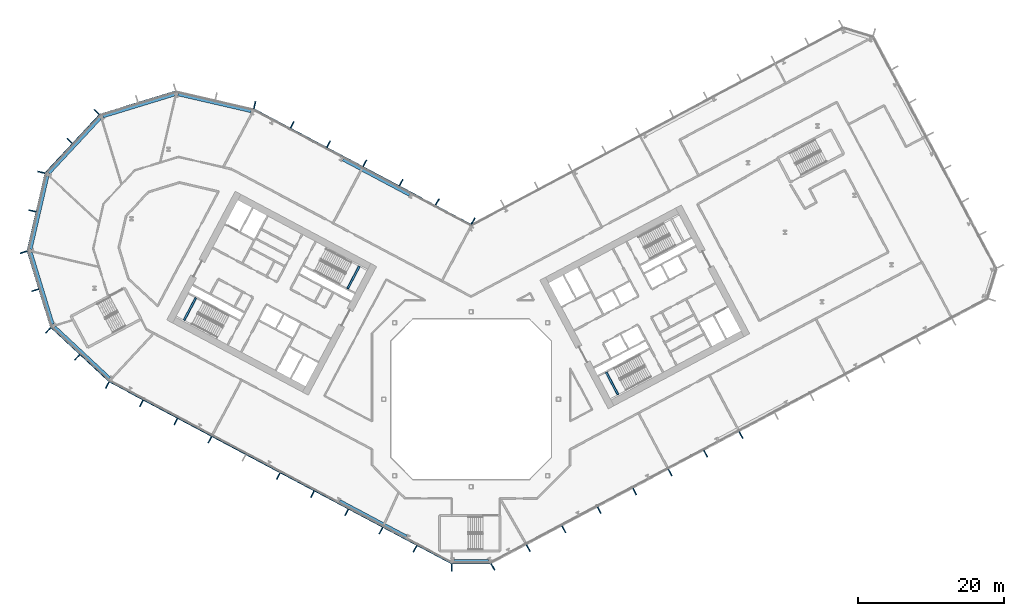
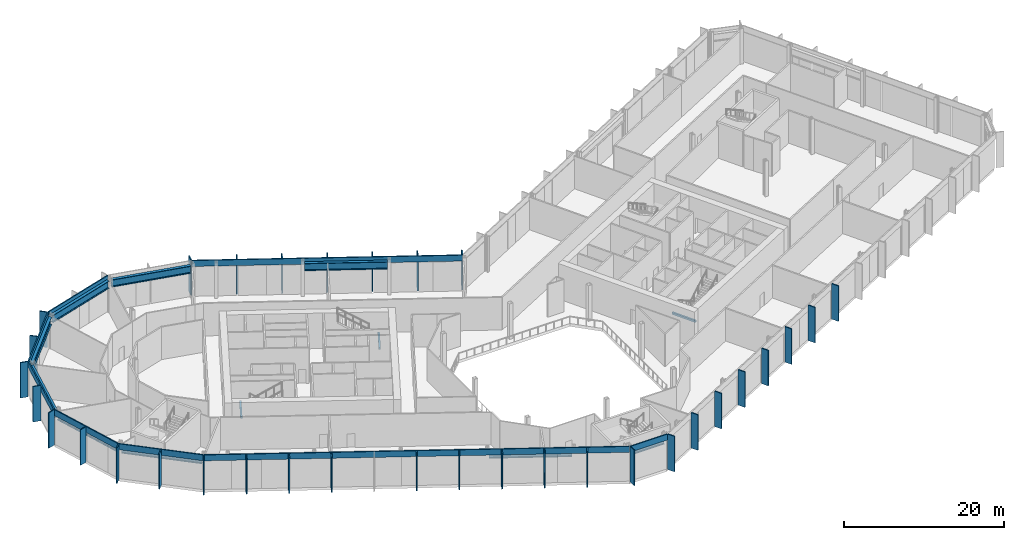
# One storey, part 6 of 30: 41 members, 12 beams, 10 elements without a shape of their own.
"""IFC4 building model written with IfcOpenShell, lengths in metres."""

from ifc_helpers import new_model, si_unit, direction, frame, origin, origin_2d, place, context, subcontext, project, spatial, rectangle, i_section, extrude, material, layer, layer_set, material_profile, profile_set, type_object, element, aggregate, save


model = new_model("IFC4")

# Units and contexts
model_context = context("Model", 3, precision=1e-05, world=origin(), true_north=direction((0.0, 1.0)))
body_context = subcontext(model_context, "Body", "Model", "MODEL_VIEW")
ifc_project = project(units=[si_unit("LENGTHUNIT", "METRE"), si_unit("AREAUNIT", "SQUARE_METRE"), si_unit("VOLUMEUNIT", "CUBIC_METRE"), si_unit("PLANEANGLEUNIT", "RADIAN"), si_unit("MASSUNIT", "GRAM", prefix="KILO")], contexts=[model_context])

# Site, building, storey
site_placement = place(None, origin())
site = spatial("IfcSite", under=ifc_project, at=site_placement, CompositionType="ELEMENT")
building_placement = place(site_placement, origin())
building = spatial("IfcBuilding", under=site, at=building_placement, Name="Cormorant Relay Tower", CompositionType="ELEMENT")
storey_placement = place(building_placement, frame((0.0, 0.0, 44.60009765625)))
storey = spatial("IfcBuildingStorey", under=building, at=storey_placement, Name="L08", CompositionType="ELEMENT", Elevation=44.60009765625)

# Curtain wall, member
ifc_material_1 = material(Name="Aluminium 6063-T6 anodised bronze", Category="aluminium")
ifc_layer = layer(ifc_material_1, 0.235107421875)
ifc_layer_set = layer_set([ifc_layer], Name="CW6 data hall curtain wall with mineral wool panels")
curtain_wall_type = type_object("IfcCurtainWallType", Name="CW6 data hall curtain wall with mineral wool panels", PredefinedType="NOTDEFINED", material=ifc_layer_set)
curtain_wall_1_placement = place(storey_placement, origin())
curtain_wall_1 = element("IfcCurtainWall", 1, at=curtain_wall_1_placement, inside=storey, type_object=curtain_wall_type, Name="CW6 curtain wall 1", PredefinedType="NOTDEFINED")
ifc_material_2 = material(Name="Aluminium 6063-T6 anodised bronze", Category="aluminium")
ifc_material_profile_1 = material_profile(ifc_material_2, rectangle(XDim=0.14990234375, YDim=1.0, at=origin_2d()), Name="AL 150x1000")
ifc_profile_set_1 = profile_set([ifc_material_profile_1], Name="Aluminium 6063-T6 anodised bronze")
member_type_1 = type_object("IfcMemberType", Name="CW6 bronze fin mullion 150 x 1000", PredefinedType="MULLION", material=ifc_profile_set_1)
member_1_placement = place(storey_placement, frame((-2.648681640625, -23.110595703125, 0.0), z_axis=(0.0, 0.0, 1.0), x_axis=(1.0, 0.0, 0.0)))
member_1 = element("IfcMember", 2, at=member_1_placement, type_object=member_type_1, Name="CW6 fin 1.1", PredefinedType="MULLION", context=body_context, shape_type="SweptSolid", body=[
    extrude(rectangle(XDim=0.14990234375, YDim=1.0, at=origin_2d()), origin(), (0.0, 0.0, 1.0), 5.39990234375),
])

# Curtain wall, members
curtain_wall_2_placement = place(storey_placement, origin())
curtain_wall_2 = element("IfcCurtainWall", 3, at=curtain_wall_2_placement, inside=storey, type_object=curtain_wall_type, Name="CW6 curtain wall 2", PredefinedType="NOTDEFINED")
member_2_placement = place(storey_placement, frame((2.993896484375, -23.0244140625, 0.0), z_axis=(0.0, 0.0, 1.0), x_axis=(0.882947592859, 0.469471562786, 0.0)))
member_2 = element("IfcMember", 4, at=member_2_placement, type_object=member_type_1, Name="CW6 fin 2.1", PredefinedType="MULLION", context=body_context, shape_type="SweptSolid", body=[
    extrude(rectangle(XDim=0.14990234375, YDim=1.0, at=origin_2d()), origin(), (0.0, 0.0, 1.0), 5.39990234375),
])
member_3_placement = place(storey_placement, frame((7.860595703125, -20.43701171875, 0.0), z_axis=(0.0, 0.0, 1.0), x_axis=(0.882947592859, 0.469471562786, 0.0)))
member_3 = element("IfcMember", 5, at=member_3_placement, type_object=member_type_1, Name="CW6 fin 2.2", PredefinedType="MULLION", context=body_context, shape_type="SweptSolid", body=[
    extrude(rectangle(XDim=0.14990234375, YDim=1.0, at=origin_2d()), origin(), (0.0, 0.0, 1.0), 5.39990234375),
])
member_4_placement = place(storey_placement, frame((12.727294921875, -17.84912109375, 0.0), z_axis=(0.0, 0.0, 1.0), x_axis=(0.882947592859, 0.469471562786, 0.0)))
member_4 = element("IfcMember", 6, at=member_4_placement, type_object=member_type_1, Name="CW6 fin 2.3", PredefinedType="MULLION", context=body_context, shape_type="SweptSolid", body=[
    extrude(rectangle(XDim=0.14990234375, YDim=1.0, at=origin_2d()), origin(), (0.0, 0.0, 1.0), 5.39990234375),
])
member_5_placement = place(storey_placement, frame((17.593994140625, -15.26171875, 0.0), z_axis=(0.0, 0.0, 1.0), x_axis=(0.882947592859, 0.469471562786, 0.0)))
member_5 = element("IfcMember", 7, at=member_5_placement, type_object=member_type_1, Name="CW6 fin 2.4", PredefinedType="MULLION", context=body_context, shape_type="SweptSolid", body=[
    extrude(rectangle(XDim=0.14990234375, YDim=1.0, at=origin_2d()), origin(), (0.0, 0.0, 1.0), 5.39990234375),
])
member_6_placement = place(storey_placement, frame((22.460693359375, -12.673828125, 0.0), z_axis=(0.0, 0.0, 1.0), x_axis=(0.882947592859, 0.469471562786, 0.0)))
member_6 = element("IfcMember", 8, at=member_6_placement, type_object=member_type_1, Name="CW6 fin 2.5", PredefinedType="MULLION", context=body_context, shape_type="SweptSolid", body=[
    extrude(rectangle(XDim=0.14990234375, YDim=1.0, at=origin_2d()), origin(), (0.0, 0.0, 1.0), 5.39990234375),
])
member_7_placement = place(storey_placement, frame((27.327392578125, -10.086181640625, 0.0), z_axis=(0.0, 0.0, 1.0), x_axis=(0.882947592859, 0.469471562786, 0.0)))
member_7 = element("IfcMember", 9, at=member_7_placement, type_object=member_type_1, Name="CW6 fin 2.6", PredefinedType="MULLION", context=body_context, shape_type="SweptSolid", body=[
    extrude(rectangle(XDim=0.14990234375, YDim=1.0, at=origin_2d()), origin(), (0.0, 0.0, 1.0), 5.39990234375),
])
member_8_placement = place(storey_placement, frame((32.194091796875, -7.49853515625, 0.0), z_axis=(0.0, 0.0, 1.0), x_axis=(0.882947592859, 0.469471562786, 0.0)))
member_8 = element("IfcMember", 10, at=member_8_placement, type_object=member_type_1, Name="CW6 fin 2.7", PredefinedType="MULLION", context=body_context, shape_type="SweptSolid", body=[
    extrude(rectangle(XDim=0.14990234375, YDim=1.0, at=origin_2d()), origin(), (0.0, 0.0, 1.0), 5.39990234375),
])
member_9_placement = place(storey_placement, frame((37.060546875, -4.910888671875, 0.0), z_axis=(0.0, 0.0, 1.0), x_axis=(0.882947592859, 0.469471562786, 0.0)))
member_9 = element("IfcMember", 11, at=member_9_placement, type_object=member_type_1, Name="CW6 fin 2.8", PredefinedType="MULLION", context=body_context, shape_type="SweptSolid", body=[
    extrude(rectangle(XDim=0.14990234375, YDim=1.0, at=origin_2d()), origin(), (0.0, 0.0, 1.0), 5.39990234375),
])
aggregate(curtain_wall_2, [member_2, member_3, member_4, member_5, member_6, member_7, member_8, member_9])

curtain_wall_3_placement = place(storey_placement, origin())
curtain_wall_3 = element("IfcCurtainWall", 12, at=curtain_wall_3_placement, inside=storey, type_object=curtain_wall_type, Name="CW6 curtain wall 7", PredefinedType="NOTDEFINED")
member_10_placement = place(storey_placement, frame((0.27880859375, 24.468017578125, 0.0), z_axis=(0.0, 0.0, 1.0), x_axis=(-0.882947592859, 0.469471562786, 0.0)))
member_10 = element("IfcMember", 13, at=member_10_placement, type_object=member_type_1, Name="CW6 fin 7.1", PredefinedType="MULLION", context=body_context, shape_type="SweptSolid", body=[
    extrude(rectangle(XDim=0.14990234375, YDim=1.0, at=origin_2d()), origin(), (0.0, 0.0, 1.0), 5.39990234375),
])
member_11_placement = place(storey_placement, frame((-4.6337890625, 27.080322265625, 0.0), z_axis=(0.0, 0.0, 1.0), x_axis=(-0.882947592859, 0.469471562786, 0.0)))
member_11 = element("IfcMember", 14, at=member_11_placement, type_object=member_type_1, Name="CW6 fin 7.2", PredefinedType="MULLION", context=body_context, shape_type="SweptSolid", body=[
    extrude(rectangle(XDim=0.14990234375, YDim=1.0, at=origin_2d()), origin(), (0.0, 0.0, 1.0), 5.39990234375),
])
member_12_placement = place(storey_placement, frame((-9.61279296875, 29.727783203125, 0.0), z_axis=(0.0, 0.0, 1.0), x_axis=(-0.882947592859, 0.469471562786, 0.0)))
member_12 = element("IfcMember", 15, at=member_12_placement, type_object=member_type_1, Name="CW6 fin 7.3", PredefinedType="MULLION", context=body_context, shape_type="SweptSolid", body=[
    extrude(rectangle(XDim=0.14990234375, YDim=1.0, at=origin_2d()), origin(), (0.0, 0.0, 1.0), 5.39990234375),
])
member_13_placement = place(storey_placement, frame((-14.591796875, 32.375, 0.0), z_axis=(0.0, 0.0, 1.0), x_axis=(-0.882947592859, 0.469471562786, 0.0)))
member_13 = element("IfcMember", 16, at=member_13_placement, type_object=member_type_1, Name="CW6 fin 7.4", PredefinedType="MULLION", context=body_context, shape_type="SweptSolid", body=[
    extrude(rectangle(XDim=0.14990234375, YDim=1.0, at=origin_2d()), origin(), (0.0, 0.0, 1.0), 5.39990234375),
])
member_14_placement = place(storey_placement, frame((-19.57080078125, 35.0224609375, 0.0), z_axis=(0.0, 0.0, 1.0), x_axis=(-0.882947592859, 0.469471562786, 0.0)))
member_14 = element("IfcMember", 17, at=member_14_placement, type_object=member_type_1, Name="CW6 fin 7.5", PredefinedType="MULLION", context=body_context, shape_type="SweptSolid", body=[
    extrude(rectangle(XDim=0.14990234375, YDim=1.0, at=origin_2d()), origin(), (0.0, 0.0, 1.0), 5.39990234375),
])
member_15_placement = place(storey_placement, frame((-24.5498046875, 37.669677734375, 0.0), z_axis=(0.0, 0.0, 1.0), x_axis=(-0.882947592859, 0.469471562786, 0.0)))
member_15 = element("IfcMember", 18, at=member_15_placement, type_object=member_type_1, Name="CW6 fin 7.6", PredefinedType="MULLION", context=body_context, shape_type="SweptSolid", body=[
    extrude(rectangle(XDim=0.14990234375, YDim=1.0, at=origin_2d()), origin(), (0.0, 0.0, 1.0), 5.39990234375),
])

# Curtain wall, member
curtain_wall_4_placement = place(storey_placement, origin())
curtain_wall_4 = element("IfcCurtainWall", 19, at=curtain_wall_4_placement, inside=storey, type_object=curtain_wall_type, Name="CW6 curtain wall 8", PredefinedType="NOTDEFINED")
member_16_placement = place(storey_placement, frame((-29.70849609375, 40.38427734375, 0.0), z_axis=(0.0, 0.0, 1.0), x_axis=(-0.974370064785, 0.224951054344, 0.0)))
member_16 = element("IfcMember", 20, at=member_16_placement, type_object=member_type_1, Name="CW6 fin 8.1", PredefinedType="MULLION", context=body_context, shape_type="SweptSolid", body=[
    extrude(rectangle(XDim=0.14990234375, YDim=1.0, at=origin_2d()), origin(), (0.0, 0.0, 1.0), 5.39990234375),
])
aggregate(curtain_wall_4, [member_16])

# Curtain wall, members
curtain_wall_5_placement = place(storey_placement, origin())
curtain_wall_5 = element("IfcCurtainWall", 21, at=curtain_wall_5_placement, inside=storey, type_object=curtain_wall_type, Name="CW6 curtain wall 10", PredefinedType="NOTDEFINED")
member_17_placement = place(storey_placement, frame((-51.3984375, 39.4365234375, 0.0), z_axis=(0.0, 0.0, 1.0), x_axis=(-0.681998360062, -0.731353701619, 0.0)))
member_17 = element("IfcMember", 22, at=member_17_placement, type_object=member_type_1, Name="CW6 fin 10.1", PredefinedType="MULLION", context=body_context, shape_type="SweptSolid", body=[
    extrude(rectangle(XDim=0.14990234375, YDim=1.0, at=origin_2d()), origin(), (0.0, 0.0, 1.0), 5.39990234375),
])
member_18_placement = place(storey_placement, frame((-55.105224609375, 35.46142578125, 0.0), z_axis=(0.0, 0.0, 1.0), x_axis=(-0.681998360062, -0.731353701619, 0.0)))
member_18 = element("IfcMember", 23, at=member_18_placement, type_object=member_type_1, Name="CW6 fin 10.2", PredefinedType="MULLION", context=body_context, shape_type="SweptSolid", body=[
    extrude(rectangle(XDim=0.14990234375, YDim=1.0, at=origin_2d()), origin(), (0.0, 0.0, 1.0), 5.39990234375),
])

curtain_wall_6_placement = place(storey_placement, origin())
curtain_wall_6 = element("IfcCurtainWall", 24, at=curtain_wall_6_placement, inside=storey, type_object=curtain_wall_type, Name="CW6 curtain wall 11", PredefinedType="NOTDEFINED")
member_19_placement = place(storey_placement, frame((-58.99072265625, 31.150390625, 0.0), z_axis=(0.0, 0.0, 1.0), x_axis=(-0.224951054344, -0.974370064785, 0.0)))
member_19 = element("IfcMember", 25, at=member_19_placement, type_object=member_type_1, Name="CW6 fin 11.1", PredefinedType="MULLION", context=body_context, shape_type="SweptSolid", body=[
    extrude(rectangle(XDim=0.14990234375, YDim=1.0, at=origin_2d()), origin(), (0.0, 0.0, 1.0), 5.39990234375),
])
member_20_placement = place(storey_placement, frame((-60.21337890625, 25.8544921875, 0.0), z_axis=(0.0, 0.0, 1.0), x_axis=(-0.224951054344, -0.974370064785, 0.0)))
member_20 = element("IfcMember", 26, at=member_20_placement, type_object=member_type_1, Name="CW6 fin 11.2", PredefinedType="MULLION", context=body_context, shape_type="SweptSolid", body=[
    extrude(rectangle(XDim=0.14990234375, YDim=1.0, at=origin_2d()), origin(), (0.0, 0.0, 1.0), 5.39990234375),
])

curtain_wall_7_placement = place(storey_placement, origin())
curtain_wall_7 = element("IfcCurtainWall", 27, at=curtain_wall_7_placement, inside=storey, type_object=curtain_wall_type, Name="CW6 curtain wall 12", PredefinedType="NOTDEFINED")
member_21_placement = place(storey_placement, frame((-61.422607421875, 20.178466796875, 0.0), z_axis=(0.0, 0.0, 1.0), x_axis=(0.292371704723, -0.956304755963, 0.0)))
member_21 = element("IfcMember", 28, at=member_21_placement, type_object=member_type_1, Name="CW6 fin 12.1", PredefinedType="MULLION", context=body_context, shape_type="SweptSolid", body=[
    extrude(rectangle(XDim=0.14990234375, YDim=1.0, at=origin_2d()), origin(), (0.0, 0.0, 1.0), 5.39990234375),
])
member_22_placement = place(storey_placement, frame((-59.83349609375, 14.980712890625, 0.0), z_axis=(0.0, 0.0, 1.0), x_axis=(0.292371704723, -0.956304755963, 0.0)))
member_22 = element("IfcMember", 29, at=member_22_placement, type_object=member_type_1, Name="CW6 fin 12.2", PredefinedType="MULLION", context=body_context, shape_type="SweptSolid", body=[
    extrude(rectangle(XDim=0.14990234375, YDim=1.0, at=origin_2d()), origin(), (0.0, 0.0, 1.0), 5.39990234375),
])

curtain_wall_8_placement = place(storey_placement, origin())
curtain_wall_8 = element("IfcCurtainWall", 30, at=curtain_wall_8_placement, inside=storey, type_object=curtain_wall_type, Name="CW6 curtain wall 13", PredefinedType="NOTDEFINED")
member_23_placement = place(storey_placement, frame((-58.04296875, 9.46044921875, 0.0), z_axis=(0.0, 0.0, 1.0), x_axis=(0.731353701619, -0.681998360062, 0.0)))
member_23 = element("IfcMember", 31, at=member_23_placement, type_object=member_type_1, Name="CW6 fin 13.1", PredefinedType="MULLION", context=body_context, shape_type="SweptSolid", body=[
    extrude(rectangle(XDim=0.14990234375, YDim=1.0, at=origin_2d()), origin(), (0.0, 0.0, 1.0), 5.39990234375),
])
member_24_placement = place(storey_placement, frame((-54.06787109375, 5.753662109375, 0.0), z_axis=(0.0, 0.0, 1.0), x_axis=(0.731353701619, -0.681998360062, 0.0)))
member_24 = element("IfcMember", 32, at=member_24_placement, type_object=member_type_1, Name="CW6 fin 13.2", PredefinedType="MULLION", context=body_context, shape_type="SweptSolid", body=[
    extrude(rectangle(XDim=0.14990234375, YDim=1.0, at=origin_2d()), origin(), (0.0, 0.0, 1.0), 5.39990234375),
])

curtain_wall_9_placement = place(storey_placement, origin())
curtain_wall_9 = element("IfcCurtainWall", 33, at=curtain_wall_9_placement, inside=storey, type_object=curtain_wall_type, Name="CW6 curtain wall 14", PredefinedType="NOTDEFINED")
member_25_placement = place(storey_placement, frame((-49.9365234375, 1.935302734375, 0.0), z_axis=(0.0, 0.0, 1.0), x_axis=(0.882947592859, -0.469471562786, 0.0)))
member_25 = element("IfcMember", 34, at=member_25_placement, type_object=member_type_1, Name="CW6 fin 14.1", PredefinedType="MULLION", context=body_context, shape_type="SweptSolid", body=[
    extrude(rectangle(XDim=0.14990234375, YDim=1.0, at=origin_2d()), origin(), (0.0, 0.0, 1.0), 5.39990234375),
])
member_26_placement = place(storey_placement, frame((-45.2421875, -0.560546875, 0.0), z_axis=(0.0, 0.0, 1.0), x_axis=(0.882947592859, -0.469471562786, 0.0)))
member_26 = element("IfcMember", 35, at=member_26_placement, type_object=member_type_1, Name="CW6 fin 14.2", PredefinedType="MULLION", context=body_context, shape_type="SweptSolid", body=[
    extrude(rectangle(XDim=0.14990234375, YDim=1.0, at=origin_2d()), origin(), (0.0, 0.0, 1.0), 5.39990234375),
])
member_27_placement = place(storey_placement, frame((-40.548095703125, -3.056640625, 0.0), z_axis=(0.0, 0.0, 1.0), x_axis=(0.882947592859, -0.469471562786, 0.0)))
member_27 = element("IfcMember", 36, at=member_27_placement, type_object=member_type_1, Name="CW6 fin 14.3", PredefinedType="MULLION", context=body_context, shape_type="SweptSolid", body=[
    extrude(rectangle(XDim=0.14990234375, YDim=1.0, at=origin_2d()), origin(), (0.0, 0.0, 1.0), 5.39990234375),
])
member_28_placement = place(storey_placement, frame((-35.853759765625, -5.552490234375, 0.0), z_axis=(0.0, 0.0, 1.0), x_axis=(0.882947592859, -0.469471562786, 0.0)))
member_28 = element("IfcMember", 37, at=member_28_placement, type_object=member_type_1, Name="CW6 fin 14.4", PredefinedType="MULLION", context=body_context, shape_type="SweptSolid", body=[
    extrude(rectangle(XDim=0.14990234375, YDim=1.0, at=origin_2d()), origin(), (0.0, 0.0, 1.0), 5.39990234375),
])
member_29_placement = place(storey_placement, frame((-26.46533203125, -10.544677734375, 0.0), z_axis=(0.0, 0.0, 1.0), x_axis=(0.882947592859, -0.469471562786, 0.0)))
member_29 = element("IfcMember", 38, at=member_29_placement, type_object=member_type_1, Name="CW6 fin 14.6", PredefinedType="MULLION", context=body_context, shape_type="SweptSolid", body=[
    extrude(rectangle(XDim=0.14990234375, YDim=1.0, at=origin_2d()), origin(), (0.0, 0.0, 1.0), 5.39990234375),
])
member_30_placement = place(storey_placement, frame((-21.77099609375, -13.04052734375, 0.0), z_axis=(0.0, 0.0, 1.0), x_axis=(0.882947592859, -0.469471562786, 0.0)))
member_30 = element("IfcMember", 39, at=member_30_placement, type_object=member_type_1, Name="CW6 fin 14.7", PredefinedType="MULLION", context=body_context, shape_type="SweptSolid", body=[
    extrude(rectangle(XDim=0.14990234375, YDim=1.0, at=origin_2d()), origin(), (0.0, 0.0, 1.0), 5.39990234375),
])
member_31_placement = place(storey_placement, frame((-17.07666015625, -15.53662109375, 0.0), z_axis=(0.0, 0.0, 1.0), x_axis=(0.882947592859, -0.469471562786, 0.0)))
member_31 = element("IfcMember", 40, at=member_31_placement, type_object=member_type_1, Name="CW6 fin 14.8", PredefinedType="MULLION", context=body_context, shape_type="SweptSolid", body=[
    extrude(rectangle(XDim=0.14990234375, YDim=1.0, at=origin_2d()), origin(), (0.0, 0.0, 1.0), 5.39990234375),
])
member_32_placement = place(storey_placement, frame((-12.38232421875, -18.032470703125, 0.0), z_axis=(0.0, 0.0, 1.0), x_axis=(0.882947592859, -0.469471562786, 0.0)))
member_32 = element("IfcMember", 41, at=member_32_placement, type_object=member_type_1, Name="CW6 fin 14.9", PredefinedType="MULLION", context=body_context, shape_type="SweptSolid", body=[
    extrude(rectangle(XDim=0.14990234375, YDim=1.0, at=origin_2d()), origin(), (0.0, 0.0, 1.0), 5.39990234375),
])
member_33_placement = place(storey_placement, frame((-7.688232421875, -20.528564453125, 0.0), z_axis=(0.0, 0.0, 1.0), x_axis=(0.882947592859, -0.469471562786, 0.0)))
member_33 = element("IfcMember", 42, at=member_33_placement, type_object=member_type_1, Name="CW6 fin 14.10", PredefinedType="MULLION", context=body_context, shape_type="SweptSolid", body=[
    extrude(rectangle(XDim=0.14990234375, YDim=1.0, at=origin_2d()), origin(), (0.0, 0.0, 1.0), 5.39990234375),
])

# Member
ifc_material_3 = material(Name="Aluminium 6063-T6 anodised bronze", Category="aluminium")
ifc_material_profile_2 = material_profile(ifc_material_3, rectangle(XDim=0.159912109375, YDim=0.89990234375, at=origin_2d()), Name="AL 160x900")
ifc_profile_set_2 = profile_set([ifc_material_profile_2], Name="Aluminium 6063-T6 anodised bronze")
member_type_2 = type_object("IfcMemberType", Name="CW6 bronze transom 160 x 900", PredefinedType="USERDEFINED", material=ifc_profile_set_2)
member_34_placement = place(storey_placement, frame((-2.648681640625, -22.530517578125, 4.949951171875), z_axis=(1.0, 0.0, 0.0), x_axis=(0.0, 1.0, 0.0)))
member_34 = element("IfcMember", 43, at=member_34_placement, type_object=member_type_2, Name="CW6 transom 1", ObjectType="TRANSOM", PredefinedType="USERDEFINED", context=body_context, shape_type="SweptSolid", body=[
    extrude(rectangle(XDim=0.159912109375, YDim=0.89990234375, at=origin_2d()), origin(), (0.0, 0.0, 1.0), 5.29736328125),
])

aggregate(curtain_wall_1, [member_1, member_34])

member_35_placement = place(storey_placement, frame((0.07275390625, 23.9208984375, 4.949951171875), z_axis=(-0.882949271414, 0.46946840587, 0.0), x_axis=(-0.46946840587, -0.882949271414, 0.0)))
member_35 = element("IfcMember", 44, at=member_35_placement, type_object=member_type_2, Name="CW6 transom 7", ObjectType="TRANSOM", PredefinedType="USERDEFINED", context=body_context, shape_type="SweptSolid", body=[
    extrude(rectangle(XDim=0.159912109375, YDim=0.89990234375, at=origin_2d()), origin(), (0.0, 0.0, 1.0), 33.833984375),
])

aggregate(curtain_wall_3, [member_10, member_11, member_12, member_13, member_14, member_15, member_35])

# Curtain wall, member
curtain_wall_10_placement = place(storey_placement, origin())
curtain_wall_10 = element("IfcCurtainWall", 45, at=curtain_wall_10_placement, inside=storey, type_object=curtain_wall_type, Name="CW6 curtain wall 9", PredefinedType="NOTDEFINED")
member_36_placement = place(storey_placement, frame((-40.5107421875, 42.26171875, 4.949951171875), z_axis=(-0.956304833932, -0.292371449698, 0.0), x_axis=(0.292371449698, -0.956304833932, 0.0)))
member_36 = element("IfcMember", 46, at=member_36_placement, type_object=member_type_2, Name="CW6 transom 9", ObjectType="TRANSOM", PredefinedType="USERDEFINED", context=body_context, shape_type="SweptSolid", body=[
    extrude(rectangle(XDim=0.159912109375, YDim=0.89990234375, at=origin_2d()), origin(), (0.0, 0.0, 1.0), 10.87060546875),
])
aggregate(curtain_wall_10, [member_36])

# Member
member_37_placement = place(storey_placement, frame((-50.974365234375, 39.041015625, 4.949951171875), z_axis=(-0.681993299437, -0.731358420696, 0.0), x_axis=(0.731358420696, -0.681993299437, 0.0)))
member_37 = element("IfcMember", 47, at=member_37_placement, type_object=member_type_2, Name="CW6 transom 10", ObjectType="TRANSOM", PredefinedType="USERDEFINED", context=body_context, shape_type="SweptSolid", body=[
    extrude(rectangle(XDim=0.159912109375, YDim=0.89990234375, at=origin_2d()), origin(), (0.0, 0.0, 1.0), 10.870361328125),
])

aggregate(curtain_wall_5, [member_17, member_18, member_37])

member_38_placement = place(storey_placement, frame((-58.425537109375, 31.02001953125, 4.949951171875), z_axis=(-0.22495136131, -0.974369993916, 0.0), x_axis=(0.974369993916, -0.22495136131, 0.0)))
member_38 = element("IfcMember", 48, at=member_38_placement, type_object=member_type_2, Name="CW6 transom 11", ObjectType="TRANSOM", PredefinedType="USERDEFINED", context=body_context, shape_type="SweptSolid", body=[
    extrude(rectangle(XDim=0.159912109375, YDim=0.89990234375, at=origin_2d()), origin(), (0.0, 0.0, 1.0), 10.870361328125),
])

aggregate(curtain_wall_6, [member_19, member_20, member_38])

member_39_placement = place(storey_placement, frame((-60.8681640625, 20.347900390625, 4.949951171875), z_axis=(0.292377729282, -0.95630291405, 0.0), x_axis=(0.95630291405, 0.292377729282, 0.0)))
member_39 = element("IfcMember", 49, at=member_39_placement, type_object=member_type_2, Name="CW6 transom 12", ObjectType="TRANSOM", PredefinedType="USERDEFINED", context=body_context, shape_type="SweptSolid", body=[
    extrude(rectangle(XDim=0.159912109375, YDim=0.89990234375, at=origin_2d()), origin(), (0.0, 0.0, 1.0), 10.870361328125),
])

aggregate(curtain_wall_7, [member_21, member_22, member_39])

member_40_placement = place(storey_placement, frame((-57.6474609375, 9.884521484375, 4.949951171875), z_axis=(0.731358420696, -0.681993299437, 0.0), x_axis=(0.681993299437, 0.731358420696, 0.0)))
member_40 = element("IfcMember", 50, at=member_40_placement, type_object=member_type_2, Name="CW6 transom 13", ObjectType="TRANSOM", PredefinedType="USERDEFINED", context=body_context, shape_type="SweptSolid", body=[
    extrude(rectangle(XDim=0.159912109375, YDim=0.89990234375, at=origin_2d()), origin(), (0.0, 0.0, 1.0), 10.870361328125),
])

aggregate(curtain_wall_8, [member_23, member_24, member_40])

member_41_placement = place(storey_placement, frame((-49.664306640625, 2.447509765625, 4.949951171875), z_axis=(0.882946630435, -0.469473372838, 0.0), x_axis=(0.469473372838, 0.882946630435, 0.0)))
member_41 = element("IfcMember", 51, at=member_41_placement, type_object=member_type_2, Name="CW6 transom 14", ObjectType="TRANSOM", PredefinedType="USERDEFINED", context=body_context, shape_type="SweptSolid", body=[
    extrude(rectangle(XDim=0.159912109375, YDim=0.89990234375, at=origin_2d()), origin(), (0.0, 0.0, 1.0), 53.165771484375),
])

aggregate(curtain_wall_9, [member_25, member_26, member_27, member_28, member_29, member_30, member_31, member_32, member_33, member_41])

# Beams
ifc_material_4 = material(Name="Steel ASTM A992 (Fy 345 MPa)", Category="steel")
ifc_material_profile_3 = material_profile(ifc_material_4, i_section(OverallWidth=0.408935546875, OverallDepth=1.137939453125, WebThickness=0.031005859375, FlangeThickness=0.05517578125, FilletRadius=0.02001953125, at=origin_2d()), Name="W1100x607")
ifc_profile_set_3 = profile_set([ifc_material_profile_3], Name="Steel ASTM A992 (Fy 345 MPa)")
beam_type_1 = type_object("IfcBeamType", Name="Spandrel W1100x607", PredefinedType="SPANDREL", material=ifc_profile_set_3)
beam_1_placement = place(storey_placement, frame((-2.331787109375, -22.171142578125, 4.380859375), z_axis=(1.0, 0.0, 0.0), x_axis=(0.0, 1.0, 0.0)))
element("IfcBeam", 52, at=beam_1_placement, inside=storey, type_object=beam_type_1, Name="Spandrel beam L08-001", PredefinedType="SPANDREL", context=body_context, shape_type="SweptSolid", body=[
    extrude(i_section(OverallWidth=0.408935546875, OverallDepth=1.137939453125, WebThickness=0.031005859375, FlangeThickness=0.05517578125, FilletRadius=0.02001953125, at=origin_2d()), origin(), (0.0, 0.0, 1.0), 4.71533203125),
])
beam_2_placement = place(storey_placement, frame((-8.442138671875, 28.041015625, 4.380859375), z_axis=(-0.882941792792, 0.469482470963, 0.0), x_axis=(-0.469482470963, -0.882941792792, 0.0)))
element("IfcBeam", 53, at=beam_2_placement, inside=storey, type_object=beam_type_1, Name="Spandrel beam L08-007", PredefinedType="SPANDREL", context=body_context, shape_type="SweptSolid", body=[
    extrude(i_section(OverallWidth=0.408935546875, OverallDepth=1.137939453125, WebThickness=0.031005859375, FlangeThickness=0.05517578125, FilletRadius=0.02001953125, at=origin_2d()), origin(), (0.0, 0.0, 1.0), 10.363037109375),
])
beam_3_placement = place(storey_placement, frame((-30.184814453125, 39.530029296875, 4.380859375), z_axis=(-0.974369683491, 0.224952705905, 0.0), x_axis=(-0.224952705905, -0.974369683491, 0.0)))
element("IfcBeam", 54, at=beam_3_placement, inside=storey, type_object=beam_type_1, Name="Spandrel beam L08-008", PredefinedType="SPANDREL", context=body_context, shape_type="SweptSolid", body=[
    extrude(i_section(OverallWidth=0.408935546875, OverallDepth=1.137939453125, WebThickness=0.031005859375, FlangeThickness=0.05517578125, FilletRadius=0.02001953125, at=origin_2d()), origin(), (0.0, 0.0, 1.0), 10.3310546875),
])
beam_4_placement = place(storey_placement, frame((-40.716796875, 41.82275390625, 4.380859375), z_axis=(-0.956304908485, -0.292371205845, 0.0), x_axis=(0.292371205845, -0.956304908485, 0.0)))
element("IfcBeam", 55, at=beam_4_placement, inside=storey, type_object=beam_type_1, Name="Spandrel beam L08-009", PredefinedType="SPANDREL", context=body_context, shape_type="SweptSolid", body=[
    extrude(i_section(OverallWidth=0.408935546875, OverallDepth=1.137939453125, WebThickness=0.031005859375, FlangeThickness=0.05517578125, FilletRadius=0.02001953125, at=origin_2d()), origin(), (0.0, 0.0, 1.0), 10.278564453125),
])
beam_5_placement = place(storey_placement, frame((-50.93359375, 38.557373046875, 4.380859375), z_axis=(-0.682005863937, -0.731346704071, 0.0), x_axis=(0.731346704071, -0.682005863937, 0.0)))
element("IfcBeam", 56, at=beam_5_placement, inside=storey, type_object=beam_type_1, Name="Spandrel beam L08-010", PredefinedType="SPANDREL", context=body_context, shape_type="SweptSolid", body=[
    extrude(i_section(OverallWidth=0.408935546875, OverallDepth=1.137939453125, WebThickness=0.031005859375, FlangeThickness=0.05517578125, FilletRadius=0.02001953125, at=origin_2d()), origin(), (0.0, 0.0, 1.0), 10.277099609375),
])
beam_6_placement = place(storey_placement, frame((-58.1484375, 30.6220703125, 4.380859375), z_axis=(-0.224956659484, -0.97436877072, 0.0), x_axis=(0.97436877072, -0.224956659484, 0.0)))
element("IfcBeam", 57, at=beam_6_placement, inside=storey, type_object=beam_type_1, Name="Spandrel beam L08-011", PredefinedType="SPANDREL", context=body_context, shape_type="SweptSolid", body=[
    extrude(i_section(OverallWidth=0.408935546875, OverallDepth=1.137939453125, WebThickness=0.031005859375, FlangeThickness=0.05517578125, FilletRadius=0.02001953125, at=origin_2d()), origin(), (0.0, 0.0, 1.0), 10.277587890625),
])
beam_7_placement = place(storey_placement, frame((-60.42919921875, 20.14208984375, 4.380859375), z_axis=(0.292364564847, -0.956306938813, 0.0), x_axis=(0.956306938813, 0.292364564847, 0.0)))
element("IfcBeam", 58, at=beam_7_placement, inside=storey, type_object=beam_type_1, Name="Spandrel beam L08-012", PredefinedType="SPANDREL", context=body_context, shape_type="SweptSolid", body=[
    extrude(i_section(OverallWidth=0.408935546875, OverallDepth=1.137939453125, WebThickness=0.031005859375, FlangeThickness=0.05517578125, FilletRadius=0.02001953125, at=origin_2d()), origin(), (0.0, 0.0, 1.0), 10.27880859375),
])
beam_8_placement = place(storey_placement, frame((-57.163818359375, 9.925048828125, 4.380859375), z_axis=(0.731361805756, -0.681989669336, 0.0), x_axis=(0.681989669336, 0.731361805756, 0.0)))
element("IfcBeam", 59, at=beam_8_placement, inside=storey, type_object=beam_type_1, Name="Spandrel beam L08-013", PredefinedType="SPANDREL", context=body_context, shape_type="SweptSolid", body=[
    extrude(i_section(OverallWidth=0.408935546875, OverallDepth=1.137939453125, WebThickness=0.031005859375, FlangeThickness=0.05517578125, FilletRadius=0.02001953125, at=origin_2d()), origin(), (0.0, 0.0, 1.0), 10.30029296875),
])
beam_9_placement = place(storey_placement, frame((-18.04638671875, -13.95703125, 4.380859375), z_axis=(0.882942412403, -0.469481305677, 0.0), x_axis=(0.469481305677, 0.882942412403, 0.0)))
element("IfcBeam", 60, at=beam_9_placement, inside=storey, type_object=beam_type_1, Name="Spandrel beam L08-014", PredefinedType="SPANDREL", context=body_context, shape_type="SweptSolid", body=[
    extrude(i_section(OverallWidth=0.408935546875, OverallDepth=1.137939453125, WebThickness=0.031005859375, FlangeThickness=0.05517578125, FilletRadius=0.02001953125, at=origin_2d()), origin(), (0.0, 0.0, 1.0), 10.363525390625),
])
ifc_material_5 = material(Name="Concrete 50 MPa", Category="concrete")
ifc_material_profile_4 = material_profile(ifc_material_5, rectangle(XDim=0.25, YDim=0.300048828125, at=origin_2d()), Name="RC 250x300")
ifc_profile_set_4 = profile_set([ifc_material_profile_4], Name="Concrete 50 MPa")
beam_type_2 = type_object("IfcBeamType", Name="Stair landing ledge beam 250x300", PredefinedType="BEAM", material=ifc_profile_set_4)
for number, where, z_axis, x_axis, name in (
    (61, (-16.9677734375, 15.1943359375, 2.349853515625), (0.469463917486, 0.882951657895, 0.0), (-0.882951657895, 0.469463917486, 0.0), "A1 landing ledge beam"),
    (62, (-37.77490234375, 13.912841796875, 2.349853515625), (-0.469519084434, -0.88292232351, 0.0), (0.88292232351, -0.469519084434, 0.0), "A2 landing ledge beam"),
    (63, (18.55322265625, 3.6923828125, 2.349853515625), (0.469463917486, -0.882951657895, 0.0), (0.882951657895, 0.469463917486, 0.0), "B1 landing ledge beam"),
):
    element("IfcBeam", number, at=place(storey_placement, frame(where, z_axis=z_axis, x_axis=x_axis)), inside=storey, type_object=beam_type_2, Name=name, PredefinedType="BEAM", context=body_context, shape_type="SweptSolid", body=[
        extrude(rectangle(XDim=0.25, YDim=0.300048828125, at=origin_2d()), origin(), (0.0, 0.0, 1.0), 3.449951171875),
    ])

save(model, "model.ifc")
